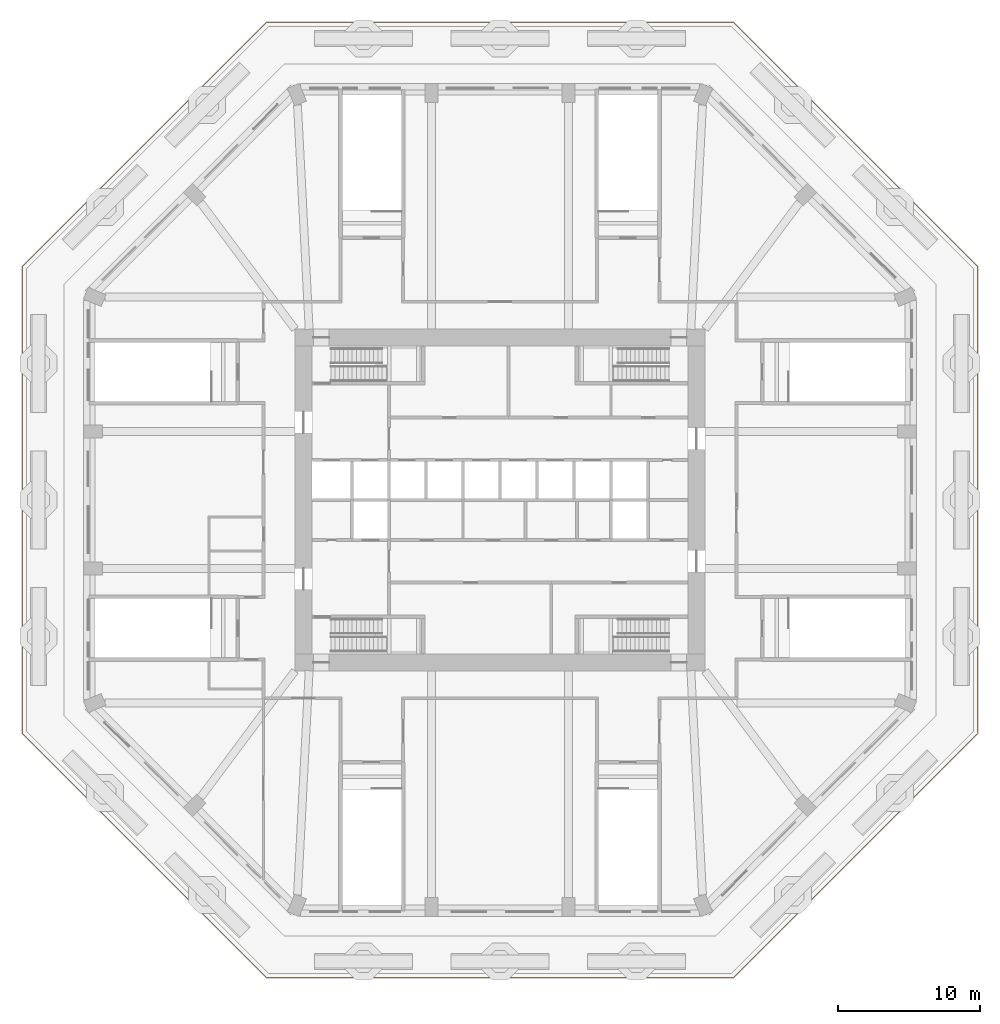
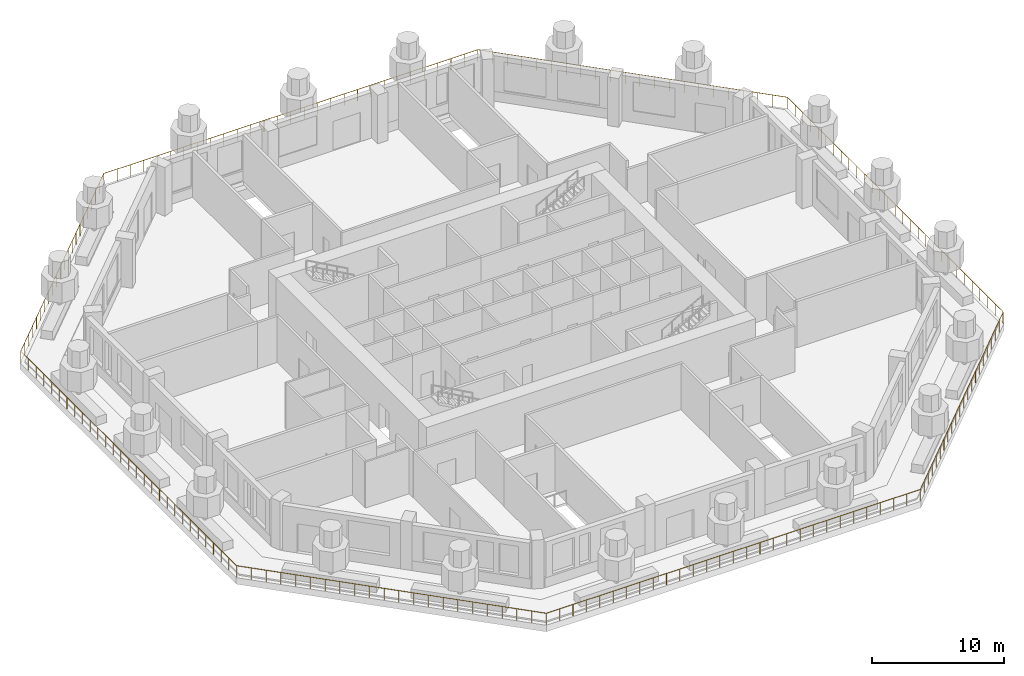
# One storey, part 11 of 13: 1 railing.
"""IFC4 building model written with IfcOpenShell, lengths in metres."""

from ifc_helpers import new_model, si_unit, direction, frame, origin, origin_2d, place, context, subcontext, project, spatial, circle, extrude, material, constituent, constituent_set, type_object, element, save


model = new_model("IFC4")

# Units and contexts
model_context = context("Model", 3, precision=1e-05, world=origin(), true_north=direction((0.0, 1.0)))
body_context = subcontext(model_context, "Body", "Model", "MODEL_VIEW")
ifc_project = project(units=[si_unit("LENGTHUNIT", "METRE"), si_unit("AREAUNIT", "SQUARE_METRE"), si_unit("VOLUMEUNIT", "CUBIC_METRE"), si_unit("PLANEANGLEUNIT", "RADIAN"), si_unit("MASSUNIT", "GRAM", prefix="KILO")], contexts=[model_context])

# Site, building, storey
site_placement = place(None, origin())
site = spatial("IfcSite", under=ifc_project, at=site_placement, CompositionType="ELEMENT")
building_placement = place(site_placement, origin())
building = spatial("IfcBuilding", under=site, at=building_placement, Name="Msitu Wima Residences", CompositionType="ELEMENT")
storey_placement = place(building_placement, frame((0.0, 0.0, 21.0)))
storey = spatial("IfcBuildingStorey", under=building, at=storey_placement, Name="L04", CompositionType="ELEMENT", Elevation=21.0)

# Railing
ifc_material_1 = material(Name="Steel S355", Category="steel")
ifc_constituent_1 = constituent(ifc_material_1, Name="Steel S355")
ifc_material_2 = material(Name="Weathering patina")
ifc_constituent_2 = constituent(ifc_material_2, Name="Weathering patina")
ifc_constituent_set = constituent_set(constituents=[ifc_constituent_1, ifc_constituent_2], Name="Steel S355")
railing_type = type_object("IfcRailingType", Name="Terrace guard GR1100", PredefinedType="GUARDRAIL", material=ifc_constituent_set)
railing_placement = place(storey_placement, frame((33.5146484375, -16.40283203125, 0.0)))
element("IfcRailing", 1, at=railing_placement, inside=storey, type_object=railing_type, Name="Terrace guard L03 roof 1", PredefinedType="GUARDRAIL", context=body_context, shape_type="SweptSolid", body=[
    extrude(circle(Radius=0.02392578125, at=origin_2d()), frame((0.0, 0.0, 1.076171875), z_axis=(-0.707106781187, -0.707106781187, 0.0), x_axis=(0.707106781187, -0.707106781187, 0.0)), (0.0, 0.0, 1.0), 24.249755859375),
    extrude(circle(Radius=0.02392578125, at=origin_2d()), frame((-17.147216796875, -17.147216796875, 1.076171875), z_axis=(-1.0, 0.0, 0.0), x_axis=(0.0, -1.0, 0.0)), (0.0, 0.0, 1.0), 32.73486328125),
    extrude(circle(Radius=0.02392578125, at=origin_2d()), frame((-49.882080078125, -17.147216796875, 1.076171875), z_axis=(-0.707106781187, 0.707106781187, 0.0), x_axis=(-0.707106781187, -0.707106781187, 0.0)), (0.0, 0.0, 1.0), 24.2998046875),
    extrude(circle(Radius=0.02392578125, at=origin_2d()), frame((-67.064697265625, 0.035400390625, 1.076171875), z_axis=(0.0, 1.0, 0.0), x_axis=(-1.0, 0.0, 0.0)), (0.0, 0.0, 1.0), 32.73486328125),
    extrude(circle(Radius=0.02392578125, at=origin_2d()), frame((-67.064697265625, 32.770263671875, 1.076171875), z_axis=(0.707106781187, 0.707106781187, 0.0), x_axis=(-0.707106781187, 0.707106781187, 0.0)), (0.0, 0.0, 1.0), 24.2998046875),
    extrude(circle(Radius=0.02392578125, at=origin_2d()), frame((-49.882080078125, 49.952880859375, 1.076171875), z_axis=(1.0, 0.0, 0.0), x_axis=(0.0, 1.0, 0.0)), (0.0, 0.0, 1.0), 32.73486328125),
    extrude(circle(Radius=0.02392578125, at=origin_2d()), frame((-17.147216796875, 49.952880859375, 1.076171875), z_axis=(0.707106781187, -0.707106781187, 0.0), x_axis=(0.707106781187, 0.707106781187, 0.0)), (0.0, 0.0, 1.0), 24.2998046875),
    extrude(circle(Radius=0.02392578125, at=origin_2d()), frame((0.035400390625, 32.770263671875, 1.076171875), z_axis=(0.0, -1.0, 0.0), x_axis=(1.0, 0.0, 0.0)), (0.0, 0.0, 1.0), 32.68505859375),
    extrude(circle(Radius=0.02099609375, at=origin_2d()), origin(), (0.0, 0.0, 1.0), 1.052001953125),
    extrude(circle(Radius=0.02099609375, at=origin_2d()), frame((-0.816650390625, -0.816650390625, 0.0)), (0.0, 0.0, 1.0), 1.052001953125),
    extrude(circle(Radius=0.02099609375, at=origin_2d()), frame((-1.633056640625, -1.633056640625, 0.0)), (0.0, 0.0, 1.0), 1.052001953125),
    extrude(circle(Radius=0.02099609375, at=origin_2d()), frame((-2.44970703125, -2.44970703125, 0.0)), (0.0, 0.0, 1.0), 1.052001953125),
    extrude(circle(Radius=0.02099609375, at=origin_2d()), frame((-3.26611328125, -3.26611328125, 0.0)), (0.0, 0.0, 1.0), 1.052001953125),
    extrude(circle(Radius=0.02099609375, at=origin_2d()), frame((-4.082763671875, -4.082763671875, 0.0)), (0.0, 0.0, 1.0), 1.052001953125),
    extrude(circle(Radius=0.02099609375, at=origin_2d()), frame((-4.899169921875, -4.899169921875, 0.0)), (0.0, 0.0, 1.0), 1.052001953125),
    extrude(circle(Radius=0.02099609375, at=origin_2d()), frame((-5.7158203125, -5.7158203125, 0.0)), (0.0, 0.0, 1.0), 1.052001953125),
    extrude(circle(Radius=0.02099609375, at=origin_2d()), frame((-6.5322265625, -6.5322265625, 0.0)), (0.0, 0.0, 1.0), 1.052001953125),
    extrude(circle(Radius=0.02099609375, at=origin_2d()), frame((-7.348876953125, -7.348876953125, 0.0)), (0.0, 0.0, 1.0), 1.052001953125),
    extrude(circle(Radius=0.02099609375, at=origin_2d()), frame((-8.165283203125, -8.165283203125, 0.0)), (0.0, 0.0, 1.0), 1.052001953125),
    extrude(circle(Radius=0.02099609375, at=origin_2d()), frame((-8.98193359375, -8.98193359375, 0.0)), (0.0, 0.0, 1.0), 1.052001953125),
    extrude(circle(Radius=0.02099609375, at=origin_2d()), frame((-9.79833984375, -9.79833984375, 0.0)), (0.0, 0.0, 1.0), 1.052001953125),
    extrude(circle(Radius=0.02099609375, at=origin_2d()), frame((-10.614990234375, -10.614990234375, 0.0)), (0.0, 0.0, 1.0), 1.052001953125),
    extrude(circle(Radius=0.02099609375, at=origin_2d()), frame((-11.431396484375, -11.431396484375, 0.0)), (0.0, 0.0, 1.0), 1.052001953125),
    extrude(circle(Radius=0.02099609375, at=origin_2d()), frame((-12.248046875, -12.248046875, 0.0)), (0.0, 0.0, 1.0), 1.052001953125),
    extrude(circle(Radius=0.02099609375, at=origin_2d()), frame((-13.064453125, -13.064453125, 0.0)), (0.0, 0.0, 1.0), 1.052001953125),
    extrude(circle(Radius=0.02099609375, at=origin_2d()), frame((-13.881103515625, -13.881103515625, 0.0)), (0.0, 0.0, 1.0), 1.052001953125),
    extrude(circle(Radius=0.02099609375, at=origin_2d()), frame((-14.697509765625, -14.697509765625, 0.0)), (0.0, 0.0, 1.0), 1.052001953125),
    extrude(circle(Radius=0.02099609375, at=origin_2d()), frame((-15.51416015625, -15.51416015625, 0.0)), (0.0, 0.0, 1.0), 1.052001953125),
    extrude(circle(Radius=0.02099609375, at=origin_2d()), frame((-16.33056640625, -16.33056640625, 0.0)), (0.0, 0.0, 1.0), 1.052001953125),
    extrude(circle(Radius=0.02099609375, at=origin_2d()), frame((-17.147216796875, -17.147216796875, 0.0)), (0.0, 0.0, 1.0), 1.052001953125),
    extrude(circle(Radius=0.02099609375, at=origin_2d()), frame((-18.31640625, -17.147216796875, 0.0)), (0.0, 0.0, 1.0), 1.052001953125),
    extrude(circle(Radius=0.02099609375, at=origin_2d()), frame((-19.4853515625, -17.147216796875, 0.0)), (0.0, 0.0, 1.0), 1.052001953125),
    extrude(circle(Radius=0.02099609375, at=origin_2d()), frame((-20.654541015625, -17.147216796875, 0.0)), (0.0, 0.0, 1.0), 1.052001953125),
    extrude(circle(Radius=0.02099609375, at=origin_2d()), frame((-21.82373046875, -17.147216796875, 0.0)), (0.0, 0.0, 1.0), 1.052001953125),
    extrude(circle(Radius=0.02099609375, at=origin_2d()), frame((-22.99267578125, -17.147216796875, 0.0)), (0.0, 0.0, 1.0), 1.052001953125),
    extrude(circle(Radius=0.02099609375, at=origin_2d()), frame((-24.161865234375, -17.147216796875, 0.0)), (0.0, 0.0, 1.0), 1.052001953125),
    extrude(circle(Radius=0.02099609375, at=origin_2d()), frame((-25.3310546875, -17.147216796875, 0.0)), (0.0, 0.0, 1.0), 1.052001953125),
    extrude(circle(Radius=0.02099609375, at=origin_2d()), frame((-26.5, -17.147216796875, 0.0)), (0.0, 0.0, 1.0), 1.052001953125),
    extrude(circle(Radius=0.02099609375, at=origin_2d()), frame((-27.669189453125, -17.147216796875, 0.0)), (0.0, 0.0, 1.0), 1.052001953125),
    extrude(circle(Radius=0.02099609375, at=origin_2d()), frame((-28.838134765625, -17.147216796875, 0.0)), (0.0, 0.0, 1.0), 1.052001953125),
    extrude(circle(Radius=0.02099609375, at=origin_2d()), frame((-30.00732421875, -17.147216796875, 0.0)), (0.0, 0.0, 1.0), 1.052001953125),
    extrude(circle(Radius=0.02099609375, at=origin_2d()), frame((-31.176513671875, -17.147216796875, 0.0)), (0.0, 0.0, 1.0), 1.052001953125),
    extrude(circle(Radius=0.02099609375, at=origin_2d()), frame((-32.345458984375, -17.147216796875, 0.0)), (0.0, 0.0, 1.0), 1.052001953125),
    extrude(circle(Radius=0.02099609375, at=origin_2d()), frame((-33.5146484375, -17.147216796875, 0.0)), (0.0, 0.0, 1.0), 1.052001953125),
    extrude(circle(Radius=0.02099609375, at=origin_2d()), frame((-34.683837890625, -17.147216796875, 0.0)), (0.0, 0.0, 1.0), 1.052001953125),
    extrude(circle(Radius=0.02099609375, at=origin_2d()), frame((-35.852783203125, -17.147216796875, 0.0)), (0.0, 0.0, 1.0), 1.052001953125),
    extrude(circle(Radius=0.02099609375, at=origin_2d()), frame((-37.02197265625, -17.147216796875, 0.0)), (0.0, 0.0, 1.0), 1.052001953125),
    extrude(circle(Radius=0.02099609375, at=origin_2d()), frame((-38.191162109375, -17.147216796875, 0.0)), (0.0, 0.0, 1.0), 1.052001953125),
    extrude(circle(Radius=0.02099609375, at=origin_2d()), frame((-39.360107421875, -17.147216796875, 0.0)), (0.0, 0.0, 1.0), 1.052001953125),
    extrude(circle(Radius=0.02099609375, at=origin_2d()), frame((-40.529296875, -17.147216796875, 0.0)), (0.0, 0.0, 1.0), 1.052001953125),
    extrude(circle(Radius=0.02099609375, at=origin_2d()), frame((-41.6982421875, -17.147216796875, 0.0)), (0.0, 0.0, 1.0), 1.052001953125),
    extrude(circle(Radius=0.02099609375, at=origin_2d()), frame((-42.867431640625, -17.147216796875, 0.0)), (0.0, 0.0, 1.0), 1.052001953125),
    extrude(circle(Radius=0.02099609375, at=origin_2d()), frame((-44.03662109375, -17.147216796875, 0.0)), (0.0, 0.0, 1.0), 1.052001953125),
    extrude(circle(Radius=0.02099609375, at=origin_2d()), frame((-45.20556640625, -17.147216796875, 0.0)), (0.0, 0.0, 1.0), 1.052001953125),
    extrude(circle(Radius=0.02099609375, at=origin_2d()), frame((-46.374755859375, -17.147216796875, 0.0)), (0.0, 0.0, 1.0), 1.052001953125),
    extrude(circle(Radius=0.02099609375, at=origin_2d()), frame((-47.5439453125, -17.147216796875, 0.0)), (0.0, 0.0, 1.0), 1.052001953125),
    extrude(circle(Radius=0.02099609375, at=origin_2d()), frame((-48.712890625, -17.147216796875, 0.0)), (0.0, 0.0, 1.0), 1.052001953125),
    extrude(circle(Radius=0.02099609375, at=origin_2d()), frame((-49.882080078125, -17.147216796875, 0.0)), (0.0, 0.0, 1.0), 1.052001953125),
    extrude(circle(Radius=0.02099609375, at=origin_2d()), frame((-50.7001953125, -16.3291015625, 0.0)), (0.0, 0.0, 1.0), 1.052001953125),
    extrude(circle(Radius=0.02099609375, at=origin_2d()), frame((-51.5185546875, -15.5107421875, 0.0)), (0.0, 0.0, 1.0), 1.052001953125),
    extrude(circle(Radius=0.02099609375, at=origin_2d()), frame((-52.336669921875, -14.692626953125, 0.0)), (0.0, 0.0, 1.0), 1.052001953125),
    extrude(circle(Radius=0.02099609375, at=origin_2d()), frame((-53.155029296875, -13.874267578125, 0.0)), (0.0, 0.0, 1.0), 1.052001953125),
    extrude(circle(Radius=0.02099609375, at=origin_2d()), frame((-53.97314453125, -13.05615234375, 0.0)), (0.0, 0.0, 1.0), 1.052001953125),
    extrude(circle(Radius=0.02099609375, at=origin_2d()), frame((-54.79150390625, -12.23779296875, 0.0)), (0.0, 0.0, 1.0), 1.052001953125),
    extrude(circle(Radius=0.02099609375, at=origin_2d()), frame((-55.609619140625, -11.419677734375, 0.0)), (0.0, 0.0, 1.0), 1.052001953125),
    extrude(circle(Radius=0.02099609375, at=origin_2d()), frame((-56.427734375, -10.6015625, 0.0)), (0.0, 0.0, 1.0), 1.052001953125),
    extrude(circle(Radius=0.02099609375, at=origin_2d()), frame((-57.24609375, -9.783203125, 0.0)), (0.0, 0.0, 1.0), 1.052001953125),
    extrude(circle(Radius=0.02099609375, at=origin_2d()), frame((-58.064208984375, -8.965087890625, 0.0)), (0.0, 0.0, 1.0), 1.052001953125),
    extrude(circle(Radius=0.02099609375, at=origin_2d()), frame((-58.882568359375, -8.146728515625, 0.0)), (0.0, 0.0, 1.0), 1.052001953125),
    extrude(circle(Radius=0.02099609375, at=origin_2d()), frame((-59.70068359375, -7.32861328125, 0.0)), (0.0, 0.0, 1.0), 1.052001953125),
    extrude(circle(Radius=0.02099609375, at=origin_2d()), frame((-60.51904296875, -6.51025390625, 0.0)), (0.0, 0.0, 1.0), 1.052001953125),
    extrude(circle(Radius=0.02099609375, at=origin_2d()), frame((-61.337158203125, -5.692138671875, 0.0)), (0.0, 0.0, 1.0), 1.052001953125),
    extrude(circle(Radius=0.02099609375, at=origin_2d()), frame((-62.1552734375, -4.8740234375, 0.0)), (0.0, 0.0, 1.0), 1.052001953125),
    extrude(circle(Radius=0.02099609375, at=origin_2d()), frame((-62.9736328125, -4.0556640625, 0.0)), (0.0, 0.0, 1.0), 1.052001953125),
    extrude(circle(Radius=0.02099609375, at=origin_2d()), frame((-63.791748046875, -3.237548828125, 0.0)), (0.0, 0.0, 1.0), 1.052001953125),
    extrude(circle(Radius=0.02099609375, at=origin_2d()), frame((-64.610107421875, -2.419189453125, 0.0)), (0.0, 0.0, 1.0), 1.052001953125),
    extrude(circle(Radius=0.02099609375, at=origin_2d()), frame((-65.42822265625, -1.60107421875, 0.0)), (0.0, 0.0, 1.0), 1.052001953125),
    extrude(circle(Radius=0.02099609375, at=origin_2d()), frame((-66.24658203125, -0.78271484375, 0.0)), (0.0, 0.0, 1.0), 1.052001953125),
    extrude(circle(Radius=0.02099609375, at=origin_2d()), frame((-67.064697265625, 0.035400390625, 0.0)), (0.0, 0.0, 1.0), 1.052001953125),
    extrude(circle(Radius=0.02099609375, at=origin_2d()), frame((-67.064697265625, 1.20458984375, 0.0)), (0.0, 0.0, 1.0), 1.052001953125),
    extrude(circle(Radius=0.02099609375, at=origin_2d()), frame((-67.064697265625, 2.37353515625, 0.0)), (0.0, 0.0, 1.0), 1.052001953125),
    extrude(circle(Radius=0.02099609375, at=origin_2d()), frame((-67.064697265625, 3.542724609375, 0.0)), (0.0, 0.0, 1.0), 1.052001953125),
    extrude(circle(Radius=0.02099609375, at=origin_2d()), frame((-67.064697265625, 4.7119140625, 0.0)), (0.0, 0.0, 1.0), 1.052001953125),
    extrude(circle(Radius=0.02099609375, at=origin_2d()), frame((-67.064697265625, 5.880859375, 0.0)), (0.0, 0.0, 1.0), 1.052001953125),
    extrude(circle(Radius=0.02099609375, at=origin_2d()), frame((-67.064697265625, 7.050048828125, 0.0)), (0.0, 0.0, 1.0), 1.052001953125),
    extrude(circle(Radius=0.02099609375, at=origin_2d()), frame((-67.064697265625, 8.21923828125, 0.0)), (0.0, 0.0, 1.0), 1.052001953125),
    extrude(circle(Radius=0.02099609375, at=origin_2d()), frame((-67.064697265625, 9.38818359375, 0.0)), (0.0, 0.0, 1.0), 1.052001953125),
    extrude(circle(Radius=0.02099609375, at=origin_2d()), frame((-67.064697265625, 10.557373046875, 0.0)), (0.0, 0.0, 1.0), 1.052001953125),
    extrude(circle(Radius=0.02099609375, at=origin_2d()), frame((-67.064697265625, 11.726318359375, 0.0)), (0.0, 0.0, 1.0), 1.052001953125),
    extrude(circle(Radius=0.02099609375, at=origin_2d()), frame((-67.064697265625, 12.8955078125, 0.0)), (0.0, 0.0, 1.0), 1.052001953125),
    extrude(circle(Radius=0.02099609375, at=origin_2d()), frame((-67.064697265625, 14.064697265625, 0.0)), (0.0, 0.0, 1.0), 1.052001953125),
    extrude(circle(Radius=0.02099609375, at=origin_2d()), frame((-67.064697265625, 15.233642578125, 0.0)), (0.0, 0.0, 1.0), 1.052001953125),
    extrude(circle(Radius=0.02099609375, at=origin_2d()), frame((-67.064697265625, 16.40283203125, 0.0)), (0.0, 0.0, 1.0), 1.052001953125),
    extrude(circle(Radius=0.02099609375, at=origin_2d()), frame((-67.064697265625, 17.572021484375, 0.0)), (0.0, 0.0, 1.0), 1.052001953125),
    extrude(circle(Radius=0.02099609375, at=origin_2d()), frame((-67.064697265625, 18.740966796875, 0.0)), (0.0, 0.0, 1.0), 1.052001953125),
    extrude(circle(Radius=0.02099609375, at=origin_2d()), frame((-67.064697265625, 19.91015625, 0.0)), (0.0, 0.0, 1.0), 1.052001953125),
    extrude(circle(Radius=0.02099609375, at=origin_2d()), frame((-67.064697265625, 21.079345703125, 0.0)), (0.0, 0.0, 1.0), 1.052001953125),
    extrude(circle(Radius=0.02099609375, at=origin_2d()), frame((-67.064697265625, 22.248291015625, 0.0)), (0.0, 0.0, 1.0), 1.052001953125),
    extrude(circle(Radius=0.02099609375, at=origin_2d()), frame((-67.064697265625, 23.41748046875, 0.0)), (0.0, 0.0, 1.0), 1.052001953125),
    extrude(circle(Radius=0.02099609375, at=origin_2d()), frame((-67.064697265625, 24.58642578125, 0.0)), (0.0, 0.0, 1.0), 1.052001953125),
    extrude(circle(Radius=0.02099609375, at=origin_2d()), frame((-67.064697265625, 25.755615234375, 0.0)), (0.0, 0.0, 1.0), 1.052001953125),
    extrude(circle(Radius=0.02099609375, at=origin_2d()), frame((-67.064697265625, 26.9248046875, 0.0)), (0.0, 0.0, 1.0), 1.052001953125),
    extrude(circle(Radius=0.02099609375, at=origin_2d()), frame((-67.064697265625, 28.09375, 0.0)), (0.0, 0.0, 1.0), 1.052001953125),
    extrude(circle(Radius=0.02099609375, at=origin_2d()), frame((-67.064697265625, 29.262939453125, 0.0)), (0.0, 0.0, 1.0), 1.052001953125),
    extrude(circle(Radius=0.02099609375, at=origin_2d()), frame((-67.064697265625, 30.43212890625, 0.0)), (0.0, 0.0, 1.0), 1.052001953125),
    extrude(circle(Radius=0.02099609375, at=origin_2d()), frame((-67.064697265625, 31.60107421875, 0.0)), (0.0, 0.0, 1.0), 1.052001953125),
    extrude(circle(Radius=0.02099609375, at=origin_2d()), frame((-67.064697265625, 32.770263671875, 0.0)), (0.0, 0.0, 1.0), 1.052001953125),
    extrude(circle(Radius=0.02099609375, at=origin_2d()), frame((-66.24658203125, 33.58837890625, 0.0)), (0.0, 0.0, 1.0), 1.052001953125),
    extrude(circle(Radius=0.02099609375, at=origin_2d()), frame((-65.42822265625, 34.40673828125, 0.0)), (0.0, 0.0, 1.0), 1.052001953125),
    extrude(circle(Radius=0.02099609375, at=origin_2d()), frame((-64.610107421875, 35.224853515625, 0.0)), (0.0, 0.0, 1.0), 1.052001953125),
    extrude(circle(Radius=0.02099609375, at=origin_2d()), frame((-63.791748046875, 36.043212890625, 0.0)), (0.0, 0.0, 1.0), 1.052001953125),
    extrude(circle(Radius=0.02099609375, at=origin_2d()), frame((-62.9736328125, 36.861328125, 0.0)), (0.0, 0.0, 1.0), 1.052001953125),
    extrude(circle(Radius=0.02099609375, at=origin_2d()), frame((-62.1552734375, 37.6796875, 0.0)), (0.0, 0.0, 1.0), 1.052001953125),
    extrude(circle(Radius=0.02099609375, at=origin_2d()), frame((-61.337158203125, 38.497802734375, 0.0)), (0.0, 0.0, 1.0), 1.052001953125),
    extrude(circle(Radius=0.02099609375, at=origin_2d()), frame((-60.51904296875, 39.31591796875, 0.0)), (0.0, 0.0, 1.0), 1.052001953125),
    extrude(circle(Radius=0.02099609375, at=origin_2d()), frame((-59.70068359375, 40.13427734375, 0.0)), (0.0, 0.0, 1.0), 1.052001953125),
    extrude(circle(Radius=0.02099609375, at=origin_2d()), frame((-58.882568359375, 40.952392578125, 0.0)), (0.0, 0.0, 1.0), 1.052001953125),
    extrude(circle(Radius=0.02099609375, at=origin_2d()), frame((-58.064208984375, 41.770751953125, 0.0)), (0.0, 0.0, 1.0), 1.052001953125),
    extrude(circle(Radius=0.02099609375, at=origin_2d()), frame((-57.24609375, 42.5888671875, 0.0)), (0.0, 0.0, 1.0), 1.052001953125),
    extrude(circle(Radius=0.02099609375, at=origin_2d()), frame((-56.427734375, 43.4072265625, 0.0)), (0.0, 0.0, 1.0), 1.052001953125),
    extrude(circle(Radius=0.02099609375, at=origin_2d()), frame((-55.609619140625, 44.225341796875, 0.0)), (0.0, 0.0, 1.0), 1.052001953125),
    extrude(circle(Radius=0.02099609375, at=origin_2d()), frame((-54.79150390625, 45.04345703125, 0.0)), (0.0, 0.0, 1.0), 1.052001953125),
    extrude(circle(Radius=0.02099609375, at=origin_2d()), frame((-53.97314453125, 45.86181640625, 0.0)), (0.0, 0.0, 1.0), 1.052001953125),
    extrude(circle(Radius=0.02099609375, at=origin_2d()), frame((-53.155029296875, 46.679931640625, 0.0)), (0.0, 0.0, 1.0), 1.052001953125),
    extrude(circle(Radius=0.02099609375, at=origin_2d()), frame((-52.336669921875, 47.498291015625, 0.0)), (0.0, 0.0, 1.0), 1.052001953125),
    extrude(circle(Radius=0.02099609375, at=origin_2d()), frame((-51.5185546875, 48.31640625, 0.0)), (0.0, 0.0, 1.0), 1.052001953125),
    extrude(circle(Radius=0.02099609375, at=origin_2d()), frame((-50.7001953125, 49.134765625, 0.0)), (0.0, 0.0, 1.0), 1.052001953125),
    extrude(circle(Radius=0.02099609375, at=origin_2d()), frame((-49.882080078125, 49.952880859375, 0.0)), (0.0, 0.0, 1.0), 1.052001953125),
    extrude(circle(Radius=0.02099609375, at=origin_2d()), frame((-48.712890625, 49.952880859375, 0.0)), (0.0, 0.0, 1.0), 1.052001953125),
    extrude(circle(Radius=0.02099609375, at=origin_2d()), frame((-47.5439453125, 49.952880859375, 0.0)), (0.0, 0.0, 1.0), 1.052001953125),
    extrude(circle(Radius=0.02099609375, at=origin_2d()), frame((-46.374755859375, 49.952880859375, 0.0)), (0.0, 0.0, 1.0), 1.052001953125),
    extrude(circle(Radius=0.02099609375, at=origin_2d()), frame((-45.20556640625, 49.952880859375, 0.0)), (0.0, 0.0, 1.0), 1.052001953125),
    extrude(circle(Radius=0.02099609375, at=origin_2d()), frame((-44.03662109375, 49.952880859375, 0.0)), (0.0, 0.0, 1.0), 1.052001953125),
    extrude(circle(Radius=0.02099609375, at=origin_2d()), frame((-42.867431640625, 49.952880859375, 0.0)), (0.0, 0.0, 1.0), 1.052001953125),
    extrude(circle(Radius=0.02099609375, at=origin_2d()), frame((-41.6982421875, 49.952880859375, 0.0)), (0.0, 0.0, 1.0), 1.052001953125),
    extrude(circle(Radius=0.02099609375, at=origin_2d()), frame((-40.529296875, 49.952880859375, 0.0)), (0.0, 0.0, 1.0), 1.052001953125),
    extrude(circle(Radius=0.02099609375, at=origin_2d()), frame((-39.360107421875, 49.952880859375, 0.0)), (0.0, 0.0, 1.0), 1.052001953125),
    extrude(circle(Radius=0.02099609375, at=origin_2d()), frame((-38.191162109375, 49.952880859375, 0.0)), (0.0, 0.0, 1.0), 1.052001953125),
    extrude(circle(Radius=0.02099609375, at=origin_2d()), frame((-37.02197265625, 49.952880859375, 0.0)), (0.0, 0.0, 1.0), 1.052001953125),
    extrude(circle(Radius=0.02099609375, at=origin_2d()), frame((-35.852783203125, 49.952880859375, 0.0)), (0.0, 0.0, 1.0), 1.052001953125),
    extrude(circle(Radius=0.02099609375, at=origin_2d()), frame((-34.683837890625, 49.952880859375, 0.0)), (0.0, 0.0, 1.0), 1.052001953125),
    extrude(circle(Radius=0.02099609375, at=origin_2d()), frame((-33.5146484375, 49.952880859375, 0.0)), (0.0, 0.0, 1.0), 1.052001953125),
    extrude(circle(Radius=0.02099609375, at=origin_2d()), frame((-32.345458984375, 49.952880859375, 0.0)), (0.0, 0.0, 1.0), 1.052001953125),
    extrude(circle(Radius=0.02099609375, at=origin_2d()), frame((-31.176513671875, 49.952880859375, 0.0)), (0.0, 0.0, 1.0), 1.052001953125),
    extrude(circle(Radius=0.02099609375, at=origin_2d()), frame((-30.00732421875, 49.952880859375, 0.0)), (0.0, 0.0, 1.0), 1.052001953125),
    extrude(circle(Radius=0.02099609375, at=origin_2d()), frame((-28.838134765625, 49.952880859375, 0.0)), (0.0, 0.0, 1.0), 1.052001953125),
    extrude(circle(Radius=0.02099609375, at=origin_2d()), frame((-27.669189453125, 49.952880859375, 0.0)), (0.0, 0.0, 1.0), 1.052001953125),
    extrude(circle(Radius=0.02099609375, at=origin_2d()), frame((-26.5, 49.952880859375, 0.0)), (0.0, 0.0, 1.0), 1.052001953125),
    extrude(circle(Radius=0.02099609375, at=origin_2d()), frame((-25.3310546875, 49.952880859375, 0.0)), (0.0, 0.0, 1.0), 1.052001953125),
    extrude(circle(Radius=0.02099609375, at=origin_2d()), frame((-24.161865234375, 49.952880859375, 0.0)), (0.0, 0.0, 1.0), 1.052001953125),
    extrude(circle(Radius=0.02099609375, at=origin_2d()), frame((-22.99267578125, 49.952880859375, 0.0)), (0.0, 0.0, 1.0), 1.052001953125),
    extrude(circle(Radius=0.02099609375, at=origin_2d()), frame((-21.82373046875, 49.952880859375, 0.0)), (0.0, 0.0, 1.0), 1.052001953125),
    extrude(circle(Radius=0.02099609375, at=origin_2d()), frame((-20.654541015625, 49.952880859375, 0.0)), (0.0, 0.0, 1.0), 1.052001953125),
    extrude(circle(Radius=0.02099609375, at=origin_2d()), frame((-19.4853515625, 49.952880859375, 0.0)), (0.0, 0.0, 1.0), 1.052001953125),
    extrude(circle(Radius=0.02099609375, at=origin_2d()), frame((-18.31640625, 49.952880859375, 0.0)), (0.0, 0.0, 1.0), 1.052001953125),
    extrude(circle(Radius=0.02099609375, at=origin_2d()), frame((-17.147216796875, 49.952880859375, 0.0)), (0.0, 0.0, 1.0), 1.052001953125),
    extrude(circle(Radius=0.02099609375, at=origin_2d()), frame((-16.3291015625, 49.134765625, 0.0)), (0.0, 0.0, 1.0), 1.052001953125),
    extrude(circle(Radius=0.02099609375, at=origin_2d()), frame((-15.5107421875, 48.31640625, 0.0)), (0.0, 0.0, 1.0), 1.052001953125),
    extrude(circle(Radius=0.02099609375, at=origin_2d()), frame((-14.692626953125, 47.498291015625, 0.0)), (0.0, 0.0, 1.0), 1.052001953125),
    extrude(circle(Radius=0.02099609375, at=origin_2d()), frame((-13.874267578125, 46.679931640625, 0.0)), (0.0, 0.0, 1.0), 1.052001953125),
    extrude(circle(Radius=0.02099609375, at=origin_2d()), frame((-13.05615234375, 45.86181640625, 0.0)), (0.0, 0.0, 1.0), 1.052001953125),
    extrude(circle(Radius=0.02099609375, at=origin_2d()), frame((-12.23779296875, 45.04345703125, 0.0)), (0.0, 0.0, 1.0), 1.052001953125),
    extrude(circle(Radius=0.02099609375, at=origin_2d()), frame((-11.419677734375, 44.225341796875, 0.0)), (0.0, 0.0, 1.0), 1.052001953125),
    extrude(circle(Radius=0.02099609375, at=origin_2d()), frame((-10.6015625, 43.4072265625, 0.0)), (0.0, 0.0, 1.0), 1.052001953125),
    extrude(circle(Radius=0.02099609375, at=origin_2d()), frame((-9.783203125, 42.5888671875, 0.0)), (0.0, 0.0, 1.0), 1.052001953125),
    extrude(circle(Radius=0.02099609375, at=origin_2d()), frame((-8.965087890625, 41.770751953125, 0.0)), (0.0, 0.0, 1.0), 1.052001953125),
    extrude(circle(Radius=0.02099609375, at=origin_2d()), frame((-8.146728515625, 40.952392578125, 0.0)), (0.0, 0.0, 1.0), 1.052001953125),
    extrude(circle(Radius=0.02099609375, at=origin_2d()), frame((-7.32861328125, 40.13427734375, 0.0)), (0.0, 0.0, 1.0), 1.052001953125),
    extrude(circle(Radius=0.02099609375, at=origin_2d()), frame((-6.51025390625, 39.31591796875, 0.0)), (0.0, 0.0, 1.0), 1.052001953125),
    extrude(circle(Radius=0.02099609375, at=origin_2d()), frame((-5.692138671875, 38.497802734375, 0.0)), (0.0, 0.0, 1.0), 1.052001953125),
    extrude(circle(Radius=0.02099609375, at=origin_2d()), frame((-4.8740234375, 37.6796875, 0.0)), (0.0, 0.0, 1.0), 1.052001953125),
    extrude(circle(Radius=0.02099609375, at=origin_2d()), frame((-4.0556640625, 36.861328125, 0.0)), (0.0, 0.0, 1.0), 1.052001953125),
    extrude(circle(Radius=0.02099609375, at=origin_2d()), frame((-3.237548828125, 36.043212890625, 0.0)), (0.0, 0.0, 1.0), 1.052001953125),
    extrude(circle(Radius=0.02099609375, at=origin_2d()), frame((-2.419189453125, 35.224853515625, 0.0)), (0.0, 0.0, 1.0), 1.052001953125),
    extrude(circle(Radius=0.02099609375, at=origin_2d()), frame((-1.60107421875, 34.40673828125, 0.0)), (0.0, 0.0, 1.0), 1.052001953125),
    extrude(circle(Radius=0.02099609375, at=origin_2d()), frame((-0.78271484375, 33.58837890625, 0.0)), (0.0, 0.0, 1.0), 1.052001953125),
    extrude(circle(Radius=0.02099609375, at=origin_2d()), frame((0.035400390625, 32.770263671875, 0.0)), (0.0, 0.0, 1.0), 1.052001953125),
    extrude(circle(Radius=0.02099609375, at=origin_2d()), frame((0.035400390625, 31.60302734375, 0.0)), (0.0, 0.0, 1.0), 1.052001953125),
    extrude(circle(Radius=0.02099609375, at=origin_2d()), frame((0.035400390625, 30.435546875, 0.0)), (0.0, 0.0, 1.0), 1.052001953125),
    extrude(circle(Radius=0.02099609375, at=origin_2d()), frame((0.035400390625, 29.268310546875, 0.0)), (0.0, 0.0, 1.0), 1.052001953125),
    extrude(circle(Radius=0.02099609375, at=origin_2d()), frame((0.035400390625, 28.10107421875, 0.0)), (0.0, 0.0, 1.0), 1.052001953125),
    extrude(circle(Radius=0.02099609375, at=origin_2d()), frame((0.035400390625, 26.93359375, 0.0)), (0.0, 0.0, 1.0), 1.052001953125),
    extrude(circle(Radius=0.02099609375, at=origin_2d()), frame((0.035400390625, 25.766357421875, 0.0)), (0.0, 0.0, 1.0), 1.052001953125),
    extrude(circle(Radius=0.02099609375, at=origin_2d()), frame((0.035400390625, 24.59912109375, 0.0)), (0.0, 0.0, 1.0), 1.052001953125),
    extrude(circle(Radius=0.02099609375, at=origin_2d()), frame((0.035400390625, 23.431640625, 0.0)), (0.0, 0.0, 1.0), 1.052001953125),
    extrude(circle(Radius=0.02099609375, at=origin_2d()), frame((0.035400390625, 22.264404296875, 0.0)), (0.0, 0.0, 1.0), 1.052001953125),
    extrude(circle(Radius=0.02099609375, at=origin_2d()), frame((0.035400390625, 21.096923828125, 0.0)), (0.0, 0.0, 1.0), 1.052001953125),
    extrude(circle(Radius=0.02099609375, at=origin_2d()), frame((0.035400390625, 19.9296875, 0.0)), (0.0, 0.0, 1.0), 1.052001953125),
    extrude(circle(Radius=0.02099609375, at=origin_2d()), frame((0.035400390625, 18.762451171875, 0.0)), (0.0, 0.0, 1.0), 1.052001953125),
    extrude(circle(Radius=0.02099609375, at=origin_2d()), frame((0.035400390625, 17.594970703125, 0.0)), (0.0, 0.0, 1.0), 1.052001953125),
    extrude(circle(Radius=0.02099609375, at=origin_2d()), frame((0.035400390625, 16.427734375, 0.0)), (0.0, 0.0, 1.0), 1.052001953125),
    extrude(circle(Radius=0.02099609375, at=origin_2d()), frame((0.035400390625, 15.260498046875, 0.0)), (0.0, 0.0, 1.0), 1.052001953125),
    extrude(circle(Radius=0.02099609375, at=origin_2d()), frame((0.035400390625, 14.093017578125, 0.0)), (0.0, 0.0, 1.0), 1.052001953125),
    extrude(circle(Radius=0.02099609375, at=origin_2d()), frame((0.035400390625, 12.92578125, 0.0)), (0.0, 0.0, 1.0), 1.052001953125),
    extrude(circle(Radius=0.02099609375, at=origin_2d()), frame((0.035400390625, 11.758544921875, 0.0)), (0.0, 0.0, 1.0), 1.052001953125),
    extrude(circle(Radius=0.02099609375, at=origin_2d()), frame((0.035400390625, 10.591064453125, 0.0)), (0.0, 0.0, 1.0), 1.052001953125),
    extrude(circle(Radius=0.02099609375, at=origin_2d()), frame((0.035400390625, 9.423828125, 0.0)), (0.0, 0.0, 1.0), 1.052001953125),
    extrude(circle(Radius=0.02099609375, at=origin_2d()), frame((0.035400390625, 8.25634765625, 0.0)), (0.0, 0.0, 1.0), 1.052001953125),
    extrude(circle(Radius=0.02099609375, at=origin_2d()), frame((0.035400390625, 7.089111328125, 0.0)), (0.0, 0.0, 1.0), 1.052001953125),
    extrude(circle(Radius=0.02099609375, at=origin_2d()), frame((0.035400390625, 5.921875, 0.0)), (0.0, 0.0, 1.0), 1.052001953125),
    extrude(circle(Radius=0.02099609375, at=origin_2d()), frame((0.035400390625, 4.75439453125, 0.0)), (0.0, 0.0, 1.0), 1.052001953125),
    extrude(circle(Radius=0.02099609375, at=origin_2d()), frame((0.035400390625, 3.587158203125, 0.0)), (0.0, 0.0, 1.0), 1.052001953125),
    extrude(circle(Radius=0.02099609375, at=origin_2d()), frame((0.035400390625, 2.419921875, 0.0)), (0.0, 0.0, 1.0), 1.052001953125),
    extrude(circle(Radius=0.02099609375, at=origin_2d()), frame((0.035400390625, 1.25244140625, 0.0)), (0.0, 0.0, 1.0), 1.052001953125),
    extrude(circle(Radius=0.02099609375, at=origin_2d()), frame((0.035400390625, 0.085205078125, 0.0)), (0.0, 0.0, 1.0), 1.052001953125),
])

save(model, "model.ifc")
